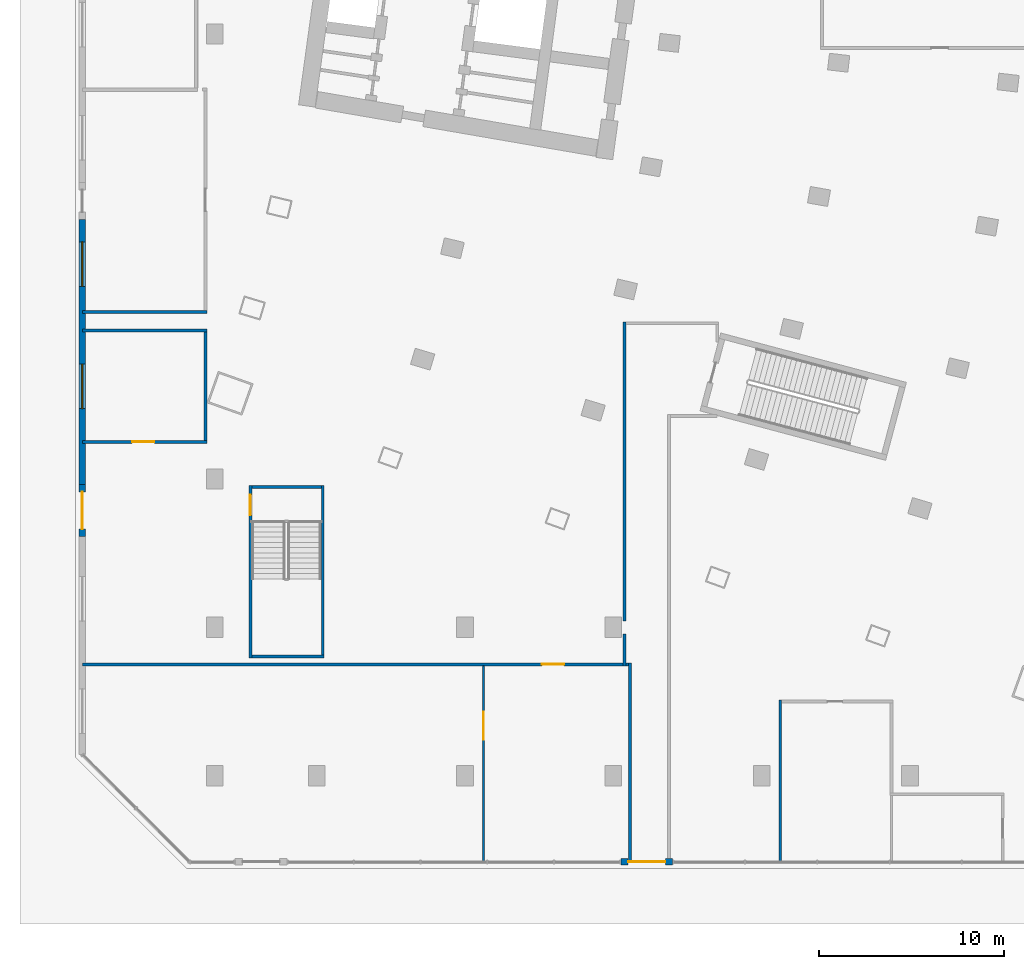
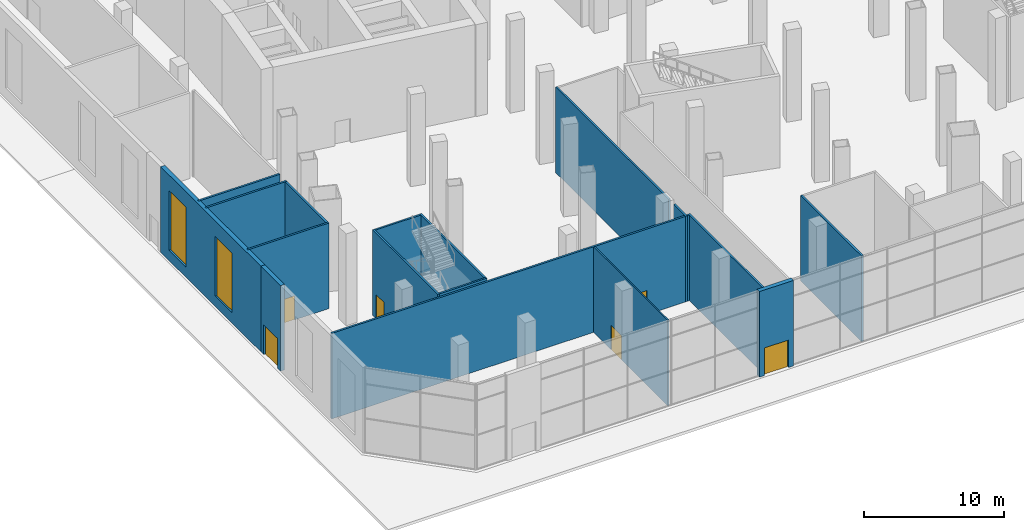
# One storey, part 12 of 33: 18 walls, 6 doors, 2 windows, 8 openings.
"""IFC4 building model written with IfcOpenShell, lengths in metres."""

from ifc_helpers import new_model, si_unit, direction, frame, frame_2d, origin, place, context, subcontext, project, spatial, rectangle, extrude, material, layer, layer_set, type_object, element, fill, save


model = new_model("IFC4")

# Units and contexts
model_context = context("Model", 3, precision=1e-05, world=origin(), true_north=direction((0.0, 1.0)))
body_context = subcontext(model_context, "Body", "Model", "MODEL_VIEW")
ifc_project = project(units=[si_unit("LENGTHUNIT", "METRE"), si_unit("AREAUNIT", "SQUARE_METRE"), si_unit("VOLUMEUNIT", "CUBIC_METRE"), si_unit("PLANEANGLEUNIT", "RADIAN"), si_unit("MASSUNIT", "GRAM", prefix="KILO")], contexts=[model_context])

# Site, building, storey
site_placement = place(None, origin())
site = spatial("IfcSite", under=ifc_project, at=site_placement, CompositionType="ELEMENT")
building_placement = place(site_placement, origin())
building = spatial("IfcBuilding", under=site, at=building_placement, Name="Alderwake Tower", CompositionType="ELEMENT")
storey_placement = place(building_placement, origin())
storey = spatial("IfcBuildingStorey", under=building, at=storey_placement, Name="L00", CompositionType="ELEMENT", Elevation=0.0)

# Wall, opening, door
ifc_material_1 = material(Name="Gypsum board on metal studs, rated")
ifc_layer_1 = layer(ifc_material_1, 0.159912109375)
ifc_layer_set_1 = layer_set([ifc_layer_1], Name="Corridor wall 160")
wall_type_1 = type_object("IfcWallType", Name="Corridor wall 160", PredefinedType="PARTITIONING", material=ifc_layer_set_1)
wall_1_placement = place(storey_placement, frame((3.3798828125, 14.0009765625, 0.0), z_axis=(0.0, 0.0, 1.0), x_axis=(1.0, 0.0, 0.0)))
wall_1 = element("IfcWall", 1, at=wall_1_placement, inside=storey, type_object=wall_type_1, Name="WL/L00/W61", PredefinedType="PARTITIONING", context=body_context, shape_type="SweptSolid", body=[
    extrude(rectangle(XDim=29.14599609375, YDim=0.159912109375, at=frame_2d((14.572998046875, 0.0))), origin(), (0.0, 0.0, 1.0), 7.449951171875),
])
opening_1_placement = place(wall_1_placement, frame((24.77001953125, 0.0, 0.0)))
opening_1 = element("IfcOpeningElement", 2, at=opening_1_placement, cuts=wall_1, Name="Opening L00-12", PredefinedType="OPENING", context=body_context, shape_type="SweptSolid", body=[
    extrude(rectangle(XDim=1.199951171875, YDim=2.10009765625, at=frame_2d((0.60009765625, 1.050048828125))), frame((0.0, 0.08984375, 0.0), z_axis=(0.0, -1.0, 0.0), x_axis=(1.0, 0.0, 0.0)), (0.0, 0.0, 1.0), 0.179931640625),
])
ifc_material_2 = material(Name="Steel door leaf in steel frame", Category="steel")
door_type_1 = type_object("IfcDoorType", Name="Plant room door 1200 steel", OperationType="SINGLE_SWING_LEFT", PredefinedType="DOOR", material=ifc_material_2)
door_1_placement = place(opening_1_placement, origin())
door_1 = element("IfcDoor", 3, at=door_1_placement, inside=storey, type_object=door_type_1, Name="DR/L00/12", OperationType="SINGLE_SWING_LEFT", OverallHeight=2.10009765625, OverallWidth=1.199951171875, PredefinedType="DOOR", context=body_context, shape_type="SweptSolid", body=[
    extrude(rectangle(XDim=1.199951171875, YDim=2.10009765625, at=frame_2d((0.60009765625, 1.050048828125))), frame((0.0, 0.02490234375, 0.0), z_axis=(0.0, -1.0, 0.0), x_axis=(1.0, 0.0, 0.0)), (0.0, 0.0, 1.0), 0.050048828125),
])
fill(opening_1, door_1)

# Wall
wall_2_placement = place(storey_placement, frame((3.3798828125, 32.0009765625, 0.0), z_axis=(0.0, 0.0, 1.0), x_axis=(1.0, 0.0, 0.0)))
element("IfcWall", 4, at=wall_2_placement, inside=storey, type_object=wall_type_1, Name="WL/L00/W62", PredefinedType="PARTITIONING", context=body_context, shape_type="SweptSolid", body=[
    extrude(rectangle(XDim=6.69921875, YDim=0.159912109375, at=frame_2d((3.349609375, 0.0))), origin(), (0.0, 0.0, 1.0), 7.449951171875),
])

# Wall, opening, door
wall_3_placement = place(storey_placement, frame((10.0791015625, 26.0009765625, 0.0), z_axis=(0.0, 0.0, 1.0), x_axis=(-1.0, 0.0, 0.0)))
wall_3 = element("IfcWall", 5, at=wall_3_placement, inside=storey, type_object=wall_type_1, Name="WL/L00/W66", PredefinedType="PARTITIONING", context=body_context, shape_type="SweptSolid", body=[
    extrude(rectangle(XDim=6.69921875, YDim=0.159912109375, at=frame_2d((3.349609375, 0.0))), origin(), (0.0, 0.0, 1.0), 7.449951171875),
])
opening_2_placement = place(wall_3_placement, frame((2.8291015625, 0.0, 0.0)))
opening_2 = element("IfcOpeningElement", 6, at=opening_2_placement, cuts=wall_3, Name="Opening L00-10", PredefinedType="OPENING", context=body_context, shape_type="SweptSolid", body=[
    extrude(rectangle(XDim=1.199951171875, YDim=2.10009765625, at=frame_2d((0.60009765625, 1.050048828125))), frame((0.0, 0.08984375, 0.0), z_axis=(0.0, -1.0, 0.0), x_axis=(1.0, 0.0, 0.0)), (0.0, 0.0, 1.0), 0.179931640625),
])
door_2_placement = place(opening_2_placement, origin())
door_2 = element("IfcDoor", 7, at=door_2_placement, inside=storey, type_object=door_type_1, Name="DR/L00/10", OperationType="SINGLE_SWING_LEFT", OverallHeight=2.10009765625, OverallWidth=1.199951171875, PredefinedType="DOOR", context=body_context, shape_type="SweptSolid", body=[
    extrude(rectangle(XDim=1.199951171875, YDim=2.10009765625, at=frame_2d((0.60009765625, 1.050048828125))), frame((0.0, 0.02490234375, 0.0), z_axis=(0.0, -1.0, 0.0), x_axis=(1.0, 0.0, 0.0)), (0.0, 0.0, 1.0), 0.050048828125),
])
fill(opening_2, door_2)

# Walls
wall_4_placement = place(storey_placement, frame((9.9990234375, 31.9208984375, 0.0), z_axis=(0.0, 0.0, 1.0), x_axis=(0.0, -1.0, 0.0)))
element("IfcWall", 8, at=wall_4_placement, inside=storey, type_object=wall_type_1, Name="WL/L00/W67", PredefinedType="PARTITIONING", context=body_context, shape_type="SweptSolid", body=[
    extrude(rectangle(XDim=5.83984375, YDim=0.159912109375, at=frame_2d((2.919921875, 0.0))), origin(), (0.0, 0.0, 1.0), 7.449951171875),
])
wall_5_placement = place(storey_placement, frame((10.0791015625, 33.0, 0.0), z_axis=(0.0, 0.0, 1.0), x_axis=(-1.0, 0.0, 0.0)))
element("IfcWall", 9, at=wall_5_placement, inside=storey, type_object=wall_type_1, Name="WL/L00/W68", PredefinedType="PARTITIONING", context=body_context, shape_type="SweptSolid", body=[
    extrude(rectangle(XDim=6.69921875, YDim=0.159912109375, at=frame_2d((3.349609375, 0.0))), origin(), (0.0, 0.0, 1.0), 7.449951171875),
])
wall_6_placement = place(storey_placement, frame((41.0009765625, 3.3798828125, 0.0), z_axis=(0.0, 0.0, 1.0), x_axis=(0.0, 1.0, 0.0)))
element("IfcWall", 10, at=wall_6_placement, inside=storey, type_object=wall_type_1, Name="WL/L00/W78", PredefinedType="PARTITIONING", context=body_context, shape_type="SweptSolid", body=[
    extrude(rectangle(XDim=8.7001953125, YDim=0.159912109375, at=frame_2d((4.35009765625, 0.0))), origin(), (0.0, 0.0, 1.0), 7.449951171875),
])

# Wall, opening, door
ifc_material_3 = material(Name="Precast concrete C50/60 spandrel panel", Category="concrete")
ifc_layer_2 = layer(ifc_material_3, 0.35009765625)
ifc_layer_set_2 = layer_set([ifc_layer_2], Name="External wall EW4 Precast concrete C50/60 podium")
wall_type_2 = type_object("IfcWallType", Name="External wall EW4 Precast concrete C50/60 podium", PredefinedType="SOLIDWALL", material=ifc_layer_set_2)
wall_7_placement = place(storey_placement, frame((35.199951171875, 3.35009765625, 0.0), z_axis=(0.0, 0.0, 1.0), x_axis=(-1.0, 0.0, 0.0)))
wall_7 = element("IfcWall", 11, at=wall_7_placement, inside=storey, type_object=wall_type_2, Name="External wall 2", PredefinedType="SOLIDWALL", context=body_context, shape_type="SweptSolid", body=[
    extrude(rectangle(XDim=2.800048828125, YDim=0.35009765625, at=frame_2d((1.39990234375, 0.0))), origin(), (0.0, 0.0, 1.0), 7.449951171875),
])
opening_3_placement = place(wall_7_placement, frame((0.39990234375, 0.0, 0.0)))
opening_3 = element("IfcOpeningElement", 12, at=opening_3_placement, cuts=wall_7, Name="Opening D02", PredefinedType="OPENING", context=body_context, shape_type="SweptSolid", body=[
    extrude(rectangle(XDim=2.0, YDim=2.39990234375, at=frame_2d((1.0, 1.199951171875))), frame((0.0, 0.18505859375, 0.0), z_axis=(0.0, -1.0, 0.0), x_axis=(1.0, 0.0, 0.0)), (0.0, 0.0, 1.0), 0.3701171875),
])
ifc_material_4 = material(Name="Painted steel door leaf", Category="steel")
door_type_2 = type_object("IfcDoorType", Name="Exit door XD stair discharge 2000", OperationType="DOUBLE_DOOR_SINGLE_SWING", PredefinedType="DOOR", material=ifc_material_4)
door_3_placement = place(opening_3_placement, origin())
door_3 = element("IfcDoor", 13, at=door_3_placement, inside=storey, type_object=door_type_2, Name="Door D02", OperationType="DOUBLE_DOOR_SINGLE_SWING", OverallHeight=2.39990234375, OverallWidth=2.0, PredefinedType="DOOR", context=body_context, shape_type="SweptSolid", body=[
    extrude(rectangle(XDim=2.0, YDim=2.39990234375, at=frame_2d((1.0, 1.199951171875))), frame((0.0, 0.02490234375, 0.0), z_axis=(0.0, -1.0, 0.0), x_axis=(1.0, 0.0, 0.0)), (0.0, 0.0, 1.0), 0.050048828125),
])
fill(opening_3, door_3)

# Wall, openings, windows
wall_8_placement = place(storey_placement, frame((3.35009765625, 38.0, 0.0), z_axis=(0.0, 0.0, 1.0), x_axis=(0.0, -1.0, 0.0)))
wall_8 = element("IfcWall", 14, at=wall_8_placement, inside=storey, type_object=wall_type_2, Name="External wall 30", PredefinedType="SOLIDWALL", context=body_context, shape_type="SweptSolid", body=[
    extrude(rectangle(XDim=14.300048828125, YDim=0.35009765625, at=frame_2d((7.14990234375, 0.0))), origin(), (0.0, 0.0, 1.0), 7.449951171875),
])
opening_4_placement = place(wall_8_placement, frame((1.2099609375, 0.0, 0.89990234375)))
opening_4 = element("IfcOpeningElement", 15, at=opening_4_placement, cuts=wall_8, Name="Opening W7", PredefinedType="OPENING", context=body_context, shape_type="SweptSolid", body=[
    extrude(rectangle(XDim=2.39990234375, YDim=5.199951171875, at=frame_2d((1.199951171875, 2.60009765625))), frame((0.0, 0.18505859375, 0.0), z_axis=(0.0, -1.0, 0.0), x_axis=(1.0, 0.0, 0.0)), (0.0, 0.0, 1.0), 0.3701171875),
])
opening_5_placement = place(wall_8_placement, frame((7.799072265625, 0.0, 0.89990234375)))
opening_5 = element("IfcOpeningElement", 16, at=opening_5_placement, cuts=wall_8, Name="Opening W7", PredefinedType="OPENING", context=body_context, shape_type="SweptSolid", body=[
    extrude(rectangle(XDim=2.39990234375, YDim=5.199951171875, at=frame_2d((1.199951171875, 2.60009765625))), frame((0.0, 0.18505859375, 0.0), z_axis=(0.0, -1.0, 0.0), x_axis=(1.0, 0.0, 0.0)), (0.0, 0.0, 1.0), 0.3701171875),
])
ifc_material_5 = material(Name="Bronze tinted glass in aluminium frame", Category="aluminium")
window_type = type_object("IfcWindowType", Name="Window W7 podium ground floor tall", PartitioningType="DOUBLE_PANEL_VERTICAL", PredefinedType="WINDOW", material=ifc_material_5)
window_1_placement = place(opening_4_placement, origin())
window_1 = element("IfcWindow", 17, at=window_1_placement, inside=storey, type_object=window_type, Name="Window W7 podium ground floor tall", OverallHeight=5.199951171875, OverallWidth=2.39990234375, PartitioningType="DOUBLE_PANEL_VERTICAL", PredefinedType="WINDOW", context=body_context, shape_type="SweptSolid", body=[
    extrude(rectangle(XDim=2.39990234375, YDim=5.199951171875, at=frame_2d((1.199951171875, 2.60009765625))), frame((0.0, 0.030029296875, 0.0), z_axis=(0.0, -1.0, 0.0), x_axis=(1.0, 0.0, 0.0)), (0.0, 0.0, 1.0), 0.06005859375),
])
fill(opening_4, window_1)
window_2_placement = place(opening_5_placement, origin())
window_2 = element("IfcWindow", 18, at=window_2_placement, inside=storey, type_object=window_type, Name="Window W7 podium ground floor tall", OverallHeight=5.199951171875, OverallWidth=2.39990234375, PartitioningType="DOUBLE_PANEL_VERTICAL", PredefinedType="WINDOW", context=body_context, shape_type="SweptSolid", body=[
    extrude(rectangle(XDim=2.39990234375, YDim=5.199951171875, at=frame_2d((1.199951171875, 2.60009765625))), frame((0.0, 0.030029296875, 0.0), z_axis=(0.0, -1.0, 0.0), x_axis=(1.0, 0.0, 0.0)), (0.0, 0.0, 1.0), 0.06005859375),
])
fill(opening_5, window_2)

# Wall, opening, door
wall_9_placement = place(storey_placement, frame((3.35009765625, 23.699951171875, 0.0), z_axis=(0.0, 0.0, 1.0), x_axis=(0.0, -1.0, 0.0)))
wall_9 = element("IfcWall", 19, at=wall_9_placement, inside=storey, type_object=wall_type_2, Name="External wall 31", PredefinedType="SOLIDWALL", context=body_context, shape_type="SweptSolid", body=[
    extrude(rectangle(XDim=2.800048828125, YDim=0.35009765625, at=frame_2d((1.39990234375, 0.0))), origin(), (0.0, 0.0, 1.0), 7.449951171875),
])
opening_6_placement = place(wall_9_placement, frame((0.39990234375, 0.0, 0.0)))
opening_6 = element("IfcOpeningElement", 20, at=opening_6_placement, cuts=wall_9, Name="Opening D18", PredefinedType="OPENING", context=body_context, shape_type="SweptSolid", body=[
    extrude(rectangle(XDim=2.0, YDim=2.60009765625, at=frame_2d((1.0, 1.300048828125))), frame((0.0, 0.18505859375, 0.0), z_axis=(0.0, -1.0, 0.0), x_axis=(1.0, 0.0, 0.0)), (0.0, 0.0, 1.0), 0.3701171875),
])
ifc_material_6 = material(Name="Bronze tinted glass in aluminium frame", Category="aluminium")
door_type_3 = type_object("IfcDoorType", Name="Entrance door ED double 2000", OperationType="DOUBLE_DOOR_DOUBLE_SWING", PredefinedType="DOOR", material=ifc_material_6)
door_4_placement = place(opening_6_placement, origin())
door_4 = element("IfcDoor", 21, at=door_4_placement, inside=storey, type_object=door_type_3, Name="Door D18", OperationType="DOUBLE_DOOR_DOUBLE_SWING", OverallHeight=2.60009765625, OverallWidth=2.0, PredefinedType="DOOR", context=body_context, shape_type="SweptSolid", body=[
    extrude(rectangle(XDim=2.0, YDim=2.60009765625, at=frame_2d((1.0, 1.300048828125))), frame((0.0, 0.02490234375, 0.0), z_axis=(0.0, -1.0, 0.0), x_axis=(1.0, 0.0, 0.0)), (0.0, 0.0, 1.0), 0.050048828125),
])
fill(opening_6, door_4)

# Walls
ifc_material_7 = material(Name="Gypsum shaft wall system, rated")
ifc_layer_3 = layer(ifc_material_7, 0.14990234375)
ifc_layer_set_3 = layer_set([ifc_layer_3], Name="Riser and shaft wall 150")
wall_type_3 = type_object("IfcWallType", Name="Riser and shaft wall 150", PredefinedType="PARTITIONING", material=ifc_layer_set_3)
wall_10_placement = place(storey_placement, frame((32.60107421875, 13.9208984375, 0.0), z_axis=(0.0, 0.0, 1.0), x_axis=(0.0, 1.0, 0.0)))
element("IfcWall", 22, at=wall_10_placement, inside=storey, type_object=wall_type_3, Name="WL/L00/W13", PredefinedType="PARTITIONING", context=body_context, shape_type="SweptSolid", body=[
    extrude(rectangle(XDim=1.73046875, YDim=0.14990234375, at=frame_2d((0.865234375, 0.0))), origin(), (0.0, 0.0, 1.0), 7.449951171875),
])
wall_11_placement = place(storey_placement, frame((32.60107421875, 16.3486328125, 0.0), z_axis=(0.0, 0.0, 1.0), x_axis=(0.0, 1.0, 0.0)))
element("IfcWall", 23, at=wall_11_placement, inside=storey, type_object=wall_type_3, Name="WL/L00/W107", PredefinedType="PARTITIONING", context=body_context, shape_type="SweptSolid", body=[
    extrude(rectangle(XDim=16.12646484375, YDim=0.14990234375, at=frame_2d((8.063232421875, 0.0))), origin(), (0.0, 0.0, 1.0), 7.449951171875),
])
wall_12_placement = place(storey_placement, frame((32.90087890625, 3.3798828125, 0.0), z_axis=(0.0, 0.0, 1.0), x_axis=(0.0, 1.0, 0.0)))
element("IfcWall", 24, at=wall_12_placement, inside=storey, type_object=wall_type_3, Name="WL/L00/W17", PredefinedType="PARTITIONING", context=body_context, shape_type="SweptSolid", body=[
    extrude(rectangle(XDim=10.696044921875, YDim=0.14990234375, at=frame_2d((5.34814453125, 0.0))), origin(), (0.0, 0.0, 1.0), 7.449951171875),
])
wall_13_placement = place(storey_placement, frame((32.825927734375, 14.0009765625, 0.0), z_axis=(0.0, 0.0, 1.0), x_axis=(-1.0, 0.0, 0.0)))
element("IfcWall", 25, at=wall_13_placement, inside=storey, type_object=wall_type_3, Name="WL/L00/W18", PredefinedType="PARTITIONING", context=body_context, shape_type="SweptSolid", body=[
    extrude(rectangle(XDim=0.14990234375, YDim=0.14990234375, at=frame_2d((0.074951171875, 0.0))), origin(), (0.0, 0.0, 1.0), 7.449951171875),
])

# Wall, opening, door
ifc_material_8 = material(Name="Concrete C40/50", Category="concrete")
ifc_layer_4 = layer(ifc_material_8, 0.14990234375)
ifc_layer_set_4 = layer_set([ifc_layer_4], Name="Stair shaft wall 150 C40/50")
wall_type_4 = type_object("IfcWallType", Name="Stair shaft wall 150 C40/50", PredefinedType="SHEAR", material=ifc_layer_set_4)
wall_14_placement = place(storey_placement, frame((12.426025390625, 14.34912109375, 0.0), z_axis=(0.0, 0.0, 1.0), x_axis=(0.0, 1.0, 0.0)))
wall_14 = element("IfcWall", 26, at=wall_14_placement, inside=storey, type_object=wall_type_4, Name="WL/L00/W05", PredefinedType="SHEAR", context=body_context, shape_type="SweptSolid", body=[
    extrude(rectangle(XDim=9.2998046875, YDim=0.14990234375, at=frame_2d((4.64990234375, 0.0))), origin(), (0.0, 0.0, 1.0), 7.449951171875),
])
opening_7_placement = place(wall_14_placement, frame((7.700927734375, 0.0, 0.0)))
opening_7 = element("IfcOpeningElement", 27, at=opening_7_placement, cuts=wall_14, Name="Opening L00-27", PredefinedType="OPENING", context=body_context, shape_type="SweptSolid", body=[
    extrude(rectangle(XDim=1.10009765625, YDim=2.10009765625, at=frame_2d((0.550048828125, 1.050048828125))), frame((0.0, 0.0849609375, 0.0), z_axis=(0.0, -1.0, 0.0), x_axis=(1.0, 0.0, 0.0)), (0.0, 0.0, 1.0), 0.169921875),
])
ifc_material_9 = material(Name="Steel-framed fire door leaf", Category="steel")
door_type_4 = type_object("IfcDoorType", Name="Stair door 1100 fire-rated", OperationType="SINGLE_SWING_LEFT", PredefinedType="DOOR", material=ifc_material_9)
door_5_placement = place(opening_7_placement, origin())
door_5 = element("IfcDoor", 28, at=door_5_placement, inside=storey, type_object=door_type_4, Name="DR/L00/27", OperationType="SINGLE_SWING_LEFT", OverallHeight=2.10009765625, OverallWidth=1.10009765625, PredefinedType="DOOR", context=body_context, shape_type="SweptSolid", body=[
    extrude(rectangle(XDim=1.10009765625, YDim=2.10009765625, at=frame_2d((0.550048828125, 1.050048828125))), frame((0.0, 0.02490234375, 0.0), z_axis=(0.0, -1.0, 0.0), x_axis=(1.0, 0.0, 0.0)), (0.0, 0.0, 1.0), 0.050048828125),
])
fill(opening_7, door_5)

# Walls
wall_15_placement = place(storey_placement, frame((12.5009765625, 14.424072265625, 0.0), z_axis=(0.0, 0.0, 1.0), x_axis=(1.0, 0.0, 0.0)))
element("IfcWall", 29, at=wall_15_placement, inside=storey, type_object=wall_type_4, Name="WL/L00/W06", PredefinedType="SHEAR", context=body_context, shape_type="SweptSolid", body=[
    extrude(rectangle(XDim=3.89990234375, YDim=0.14990234375, at=frame_2d((1.949951171875, 0.0))), origin(), (0.0, 0.0, 1.0), 7.449951171875),
])
wall_16_placement = place(storey_placement, frame((16.325927734375, 14.4990234375, 0.0), z_axis=(0.0, 0.0, 1.0), x_axis=(0.0, 1.0, 0.0)))
element("IfcWall", 30, at=wall_16_placement, inside=storey, type_object=wall_type_4, Name="WL/L00/W09", PredefinedType="SHEAR", context=body_context, shape_type="SweptSolid", body=[
    extrude(rectangle(XDim=9.14990234375, YDim=0.14990234375, at=frame_2d((4.574951171875, 0.0))), origin(), (0.0, 0.0, 1.0), 7.449951171875),
])
wall_17_placement = place(storey_placement, frame((16.2509765625, 23.573974609375, 0.0), z_axis=(0.0, 0.0, 1.0), x_axis=(-1.0, 0.0, 0.0)))
element("IfcWall", 31, at=wall_17_placement, inside=storey, type_object=wall_type_4, Name="WL/L00/W10", PredefinedType="SHEAR", context=body_context, shape_type="SweptSolid", body=[
    extrude(rectangle(XDim=3.75, YDim=0.14990234375, at=frame_2d((1.875, 0.0))), origin(), (0.0, 0.0, 1.0), 7.449951171875),
])

# Wall, opening, door
ifc_material_10 = material(Name="Gypsum board on metal studs")
ifc_layer_5 = layer(ifc_material_10, 0.10009765625)
ifc_layer_set_5 = layer_set([ifc_layer_5], Name="Unit partition 100")
wall_type_5 = type_object("IfcWallType", Name="Unit partition 100", PredefinedType="PARTITIONING", material=ifc_layer_set_5)
wall_18_placement = place(storey_placement, frame((24.9990234375, 13.9208984375, 0.0), z_axis=(0.0, 0.0, 1.0), x_axis=(0.0, -1.0, 0.0)))
wall_18 = element("IfcWall", 32, at=wall_18_placement, inside=storey, type_object=wall_type_5, Name="WL/L00/W103", PredefinedType="PARTITIONING", context=body_context, shape_type="SweptSolid", body=[
    extrude(rectangle(XDim=10.541015625, YDim=0.10009765625, at=frame_2d((5.2705078125, 0.0))), origin(), (0.0, 0.0, 1.0), 7.449951171875),
])
opening_8_placement = place(wall_18_placement, frame((2.470947265625, 0.0, 0.0)))
opening_8 = element("IfcOpeningElement", 33, at=opening_8_placement, cuts=wall_18, Name="Opening L00-11", PredefinedType="OPENING", context=body_context, shape_type="SweptSolid", body=[
    extrude(rectangle(XDim=1.5, YDim=2.10009765625, at=frame_2d((0.75, 1.050048828125))), frame((0.0, 0.06005859375, 0.0), z_axis=(0.0, -1.0, 0.0), x_axis=(1.0, 0.0, 0.0)), (0.0, 0.0, 1.0), 0.1201171875),
])
ifc_material_11 = material(Name="Painted timber leaves", Category="wood")
door_type_5 = type_object("IfcDoorType", Name="Double leaf door 1500", OperationType="DOUBLE_DOOR_SINGLE_SWING", PredefinedType="DOOR", material=ifc_material_11)
door_6_placement = place(opening_8_placement, origin())
door_6 = element("IfcDoor", 34, at=door_6_placement, inside=storey, type_object=door_type_5, Name="DR/L00/11", OperationType="DOUBLE_DOOR_SINGLE_SWING", OverallHeight=2.10009765625, OverallWidth=1.5, PredefinedType="DOOR", context=body_context, shape_type="SweptSolid", body=[
    extrude(rectangle(XDim=1.5, YDim=2.10009765625, at=frame_2d((0.75, 1.050048828125))), frame((0.0, 0.02490234375, 0.0), z_axis=(0.0, -1.0, 0.0), x_axis=(1.0, 0.0, 0.0)), (0.0, 0.0, 1.0), 0.050048828125),
])
fill(opening_8, door_6)

save(model, "model.ifc")
